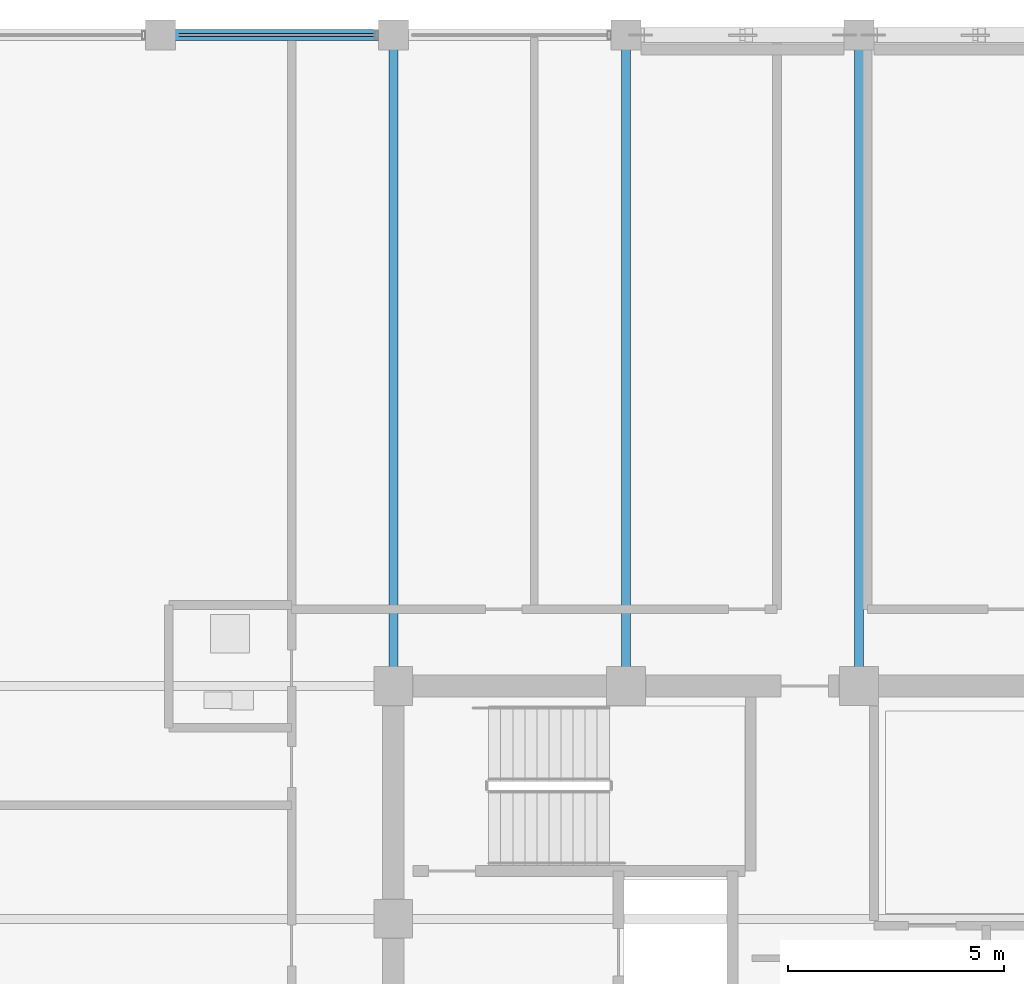
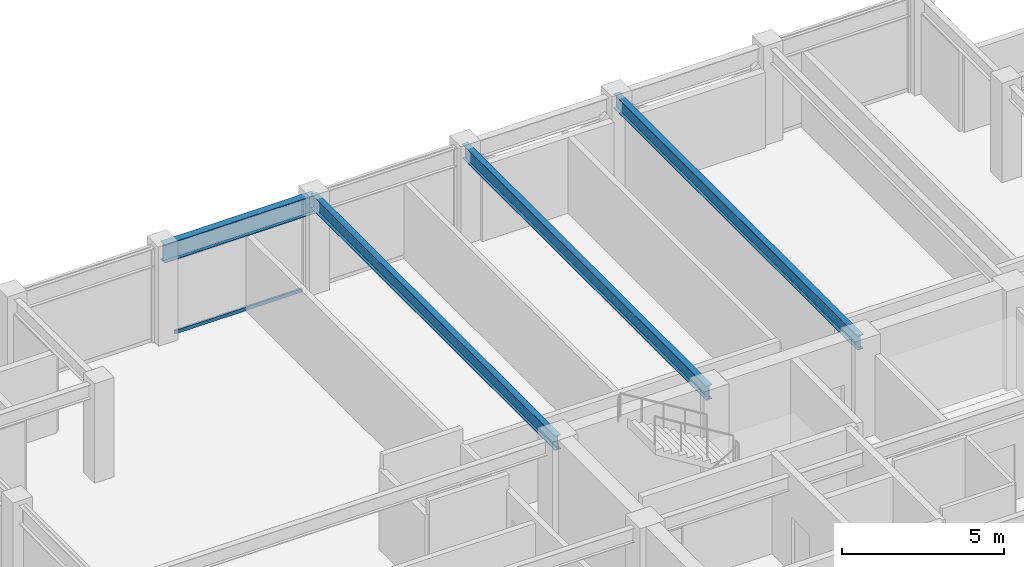
# One storey, part 18 of 32: 4 beams, 1 member, 1 element without a shape of its own.
"""IFC4 building model written with IfcOpenShell, lengths in metres."""

from ifc_helpers import new_model, si_unit, direction, frame, origin, origin_2d, place, context, subcontext, project, spatial, hollow_rectangle, i_section, extrude, material, layer, layer_set, material_profile, profile_set, type_object, element, aggregate, save


model = new_model("IFC4")

# Units and contexts
model_context = context("Model", 3, precision=1e-05, world=origin(), true_north=direction((0.0, 1.0)))
body_context = subcontext(model_context, "Body", "Model", "MODEL_VIEW")
ifc_project = project(units=[si_unit("LENGTHUNIT", "METRE"), si_unit("AREAUNIT", "SQUARE_METRE"), si_unit("VOLUMEUNIT", "CUBIC_METRE"), si_unit("PLANEANGLEUNIT", "RADIAN"), si_unit("MASSUNIT", "GRAM", prefix="KILO")], contexts=[model_context])

# Site, building, storey
site_placement = place(None, origin())
site = spatial("IfcSite", under=ifc_project, at=site_placement, CompositionType="ELEMENT")
building_placement = place(site_placement, origin())
building = spatial("IfcBuilding", under=site, at=building_placement, Name="Surkhivell Harbour Commons", CompositionType="ELEMENT")
storey_placement = place(building_placement, frame((0.0, 0.0, 311.25)))
storey = spatial("IfcBuildingStorey", under=building, at=storey_placement, Name="L81", CompositionType="ELEMENT", Elevation=311.25)

# Beams
ifc_material_1 = material(Name="Steel S355", Category="steel")
ifc_material_profile_1 = material_profile(ifc_material_1, i_section(OverallWidth=0.2099609375, OverallDepth=0.537109375, WebThickness=0.0107421875, FlangeThickness=0.017333984375, at=origin_2d()), Name="UB533x210x101")
ifc_profile_set_1 = profile_set([ifc_material_profile_1], Name="Steel S355")
beam_type_1 = type_object("IfcBeamType", Name="BM-GRD-533B", PredefinedType="BEAM", material=ifc_profile_set_1)
for number, where, z_axis, x_axis, name in (
    (1, (-10.800048828125, 10.800048828125, 3.301513671875), (0.0, 1.0, 0.0), (-1.0, 0.0, 0.0), "L81 Floor Girder (-10.8,10.8)"),
    (2, (-5.39990234375, 10.800048828125, 3.301513671875), (0.0, 1.0, 0.0), (-1.0, 0.0, 0.0), "L81 Floor Girder (-5.4,10.8)"),
    (3, (0.0, 10.800048828125, 3.301513671875), (0.0, 1.0, 0.0), (-1.0, 0.0, 0.0), "L81 Floor Girder (0.0,10.8)"),
):
    element("IfcBeam", number, at=place(storey_placement, frame(where, z_axis=z_axis, x_axis=x_axis)), inside=storey, type_object=beam_type_1, Name=name, PredefinedType="BEAM", context=body_context, shape_type="SweptSolid", body=[
        extrude(i_section(OverallWidth=0.2099609375, OverallDepth=0.537109375, WebThickness=0.0107421875, FlangeThickness=0.017333984375, at=origin_2d()), origin(), (0.0, 0.0, 1.0), 15.099853515625),
    ])
ifc_material_profile_2 = material_profile(ifc_material_1, i_section(OverallWidth=0.256103515625, OverallDepth=0.693115234375, WebThickness=0.014404296875, FlangeThickness=0.023681640625, at=origin_2d()), Name="UB686x254x170")
ifc_profile_set_2 = profile_set([ifc_material_profile_2], Name="Steel S355")
beam_type_2 = type_object("IfcBeamType", Name="BM-SPN-686", PredefinedType="SPANDREL", material=ifc_profile_set_2)
beam_placement = place(storey_placement, frame((-16.199951171875, 25.89990234375, 3.223388671875), z_axis=(1.0, 0.0, 0.0), x_axis=(0.0, 1.0, 0.0)))
element("IfcBeam", 4, at=beam_placement, inside=storey, type_object=beam_type_2, Name="L81 Tube Spandrel (-16.2,25.9)", PredefinedType="SPANDREL", context=body_context, shape_type="SweptSolid", body=[
    extrude(i_section(OverallWidth=0.256103515625, OverallDepth=0.693115234375, WebThickness=0.014404296875, FlangeThickness=0.023681640625, at=origin_2d()), origin(), (0.0, 0.0, 1.0), 5.39990234375),
])

# Curtain wall, member
ifc_material_2 = material(Name="Anodised pale-metal aluminium and insulated glazing", Category="aluminium")
ifc_layer = layer(ifc_material_2, 0.175048828125)
ifc_layer_set = layer_set([ifc_layer], Name="Anodised pale-metal aluminium and insulated glazing")
curtain_wall_type = type_object("IfcCurtainWallType", Name="CW-SYS-Z4", PredefinedType="NOTDEFINED", material=ifc_layer_set)
curtain_wall_placement = place(storey_placement, origin())
curtain_wall = element("IfcCurtainWall", 5, at=curtain_wall_placement, inside=storey, type_object=curtain_wall_type, Name="L81 Curtain Wall CW-L81-E07S2", PredefinedType="NOTDEFINED")
ifc_material_3 = material(Name="Champagne anodised aluminium alloy 6063-T6", Category="aluminium")
ifc_material_profile_3 = material_profile(ifc_material_3, hollow_rectangle(XDim=0.070068359375, YDim=0.1298828125, WallThickness=0.00341796875, at=origin_2d()), Name="ALU-TRAN-70x130")
ifc_profile_set_3 = profile_set([ifc_material_profile_3], Name="Champagne anodised aluminium alloy 6063-T6")
member_type = type_object("IfcMemberType", Name="CWT-130", PredefinedType="USERDEFINED", material=ifc_profile_set_3)
member_placement = place(storey_placement, frame((-11.22705078125, 25.89990234375, 0.06494140625), z_axis=(-1.0, 0.0, 0.0), x_axis=(0.0, -1.0, 0.0)))
member = element("IfcMember", 6, at=member_placement, type_object=member_type, Name="CW-Z4 transom 2.1", ObjectType="TRANSOM", PredefinedType="USERDEFINED", context=body_context, shape_type="SweptSolid", body=[
    extrude(hollow_rectangle(XDim=0.070068359375, YDim=0.1298828125, WallThickness=0.00341796875, at=origin_2d()), origin(), (0.0, 0.0, 1.0), 4.5458984375),
])
aggregate(curtain_wall, [member])

save(model, "model.ifc")
